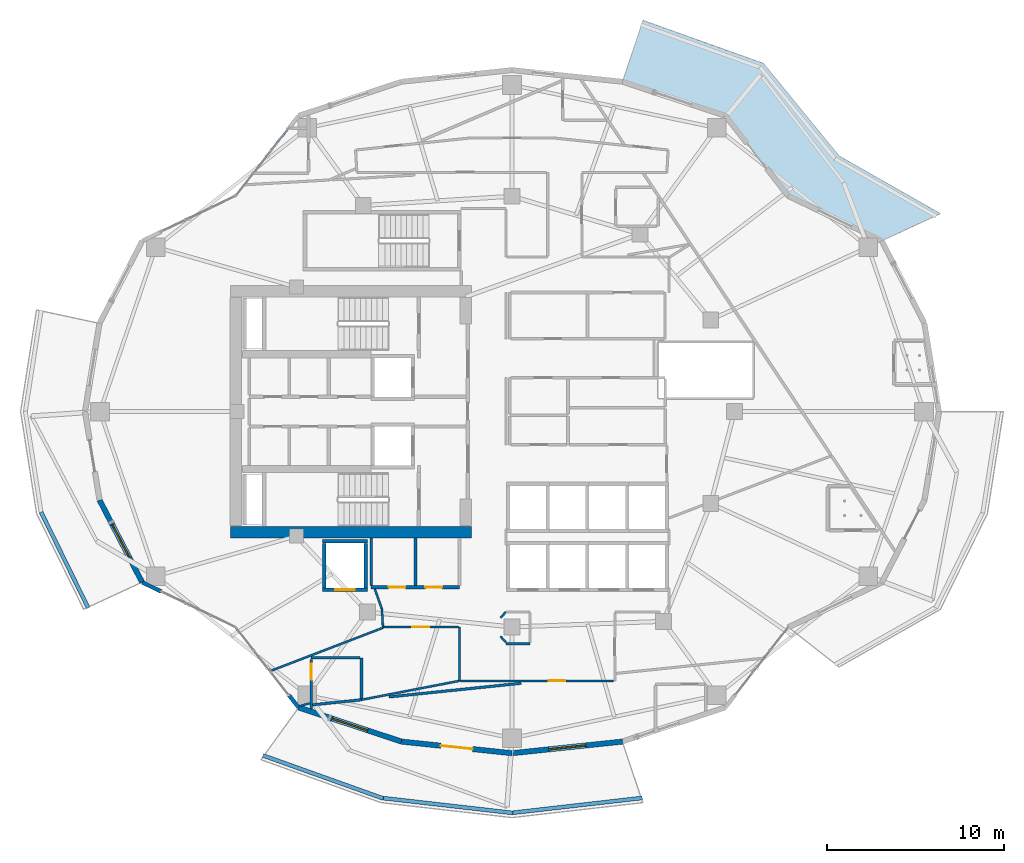
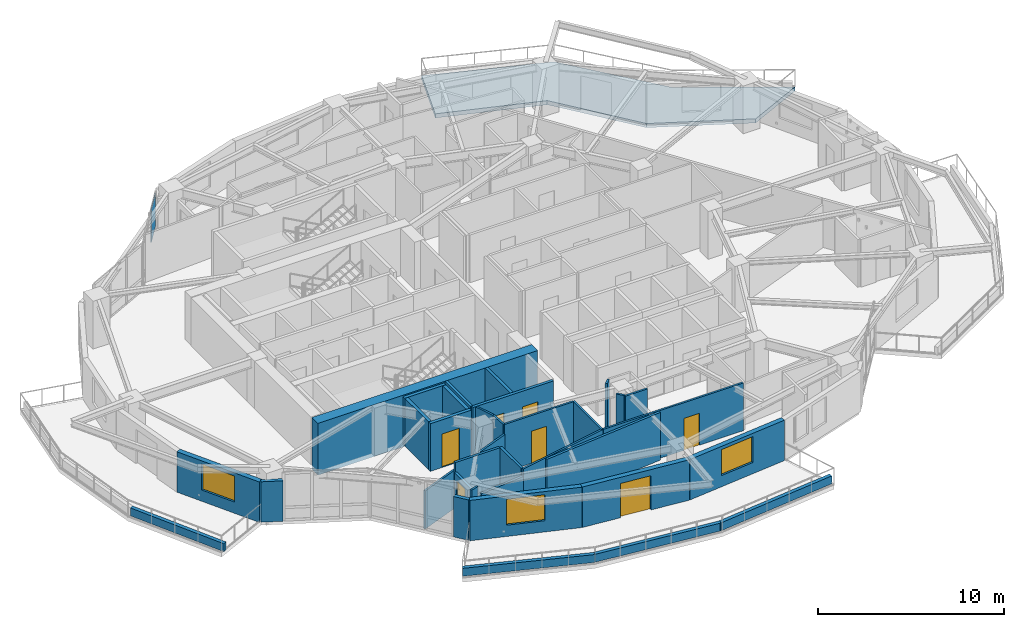
# One storey, part 7 of 18: 34 walls, 7 doors, 3 windows, 1 plate, 1 slab, 10 openings, 1 element without a shape of its own.
"""IFC4 building model written with IfcOpenShell, lengths in metres."""

import ifcopenshell
import ifcopenshell.guid

model = None  # the IFC model being written
_history = None  # IfcOwnerHistory: only IFC2X3 demands one
_inside = {}  # id of a spatial element -> (the spatial element, [elements in it])
_under = {}  # id of a project, library or spatial element -> (it, [spatial elements below it])
_declared = {}  # id of a project -> (the project, [libraries it declares])
_typed = {}  # id of a type object -> (the type object, [elements of that type])
_made_of = {}  # id of a material, layer set ... -> (it, [elements and type objects made of it])


def new_model(schema):
    """Start an empty IFC model of exactly this schema.

    Asked for "IFC4X3", IfcOpenShell would pick the latest addendum, in which some entities
    have other attributes; the version numbers below select the first issue.
    IFC2X3 requires an IfcOwnerHistory on every rooted entity: one is made here for all.
    """
    global model, _history
    if schema == "IFC4X3":
        model = ifcopenshell.file(schema_version=(4, 3, 0, 0))
    else:
        model = ifcopenshell.file(schema=schema)
    _inside.clear()
    _under.clear()
    _declared.clear()
    _typed.clear()
    _made_of.clear()
    _history = None
    if model.schema == "IFC2X3":
        org = make("IfcOrganization", Name="unknown")
        user = make(
            "IfcPersonAndOrganization",
            ThePerson=make("IfcPerson", FamilyName="unknown"),
            TheOrganization=org,
        )
        app = make(
            "IfcApplication",
            ApplicationDeveloper=org,
            Version="unknown",
            ApplicationFullName="unknown",
            ApplicationIdentifier="unknown",
        )
        _history = make(
            "IfcOwnerHistory",
            OwningUser=user,
            OwningApplication=app,
            ChangeAction="ADDED",
            CreationDate=0,
        )
    return model


def make(cls, **values):
    """One entity of the class cls with the attributes given. An attribute that is None is left unset."""
    return model.create_entity(
        cls, **{name: value for name, value in values.items() if value is not None}
    )


def rooted(cls, **values):
    """An entity with a GlobalId (a new one), such as an element, a storey or a relation."""
    return make(cls, GlobalId=ifcopenshell.guid.new(), OwnerHistory=_history, **values)


def si_unit(unit_type, name, prefix=None):
    """IfcSIUnit, for example si_unit("LENGTHUNIT", "METRE", prefix="MILLI")."""
    return make("IfcSIUnit", UnitType=unit_type, Prefix=prefix, Name=name)


def assignment(units):
    """IfcUnitAssignment: the units of a project."""
    return None if units is None else make("IfcUnitAssignment", Units=units)


def point(xyz):
    """IfcCartesianPoint."""
    return None if xyz is None else make("IfcCartesianPoint", Coordinates=xyz)


def direction(xyz):
    """IfcDirection."""
    return None if xyz is None else make("IfcDirection", DirectionRatios=xyz)


def frame(location, z_axis=None, x_axis=None):
    """IfcAxis2Placement3D, a coordinate frame: its origin and axes. An axis left out is left unset."""
    return make(
        "IfcAxis2Placement3D",
        Location=point(location),
        Axis=direction(z_axis),
        RefDirection=direction(x_axis),
    )


def frame_2d(location, x_axis=None):
    """IfcAxis2Placement2D, a coordinate frame in the plane: its origin and x axis."""
    return make(
        "IfcAxis2Placement2D", Location=point(location), RefDirection=direction(x_axis)
    )


def origin():
    """The frame at (0, 0, 0) with its axes left unset."""
    return frame((0.0, 0.0, 0.0))


def origin_2d():
    """The frame at (0, 0) in the plane with its x axis left unset."""
    return frame_2d((0.0, 0.0))


def place(relative_to, where):
    """IfcLocalPlacement: puts the frame where relative to a parent placement (None: the world)."""
    return make(
        "IfcLocalPlacement", PlacementRelTo=relative_to, RelativePlacement=where
    )


def context(
    kind, dimensions, precision=None, world=None, true_north=None, identifier=None
):
    """IfcGeometricRepresentationContext, for example the 3D "Model" context."""
    return make(
        "IfcGeometricRepresentationContext",
        ContextIdentifier=identifier,
        ContextType=kind,
        CoordinateSpaceDimension=dimensions,
        Precision=precision,
        WorldCoordinateSystem=world,
        TrueNorth=true_north,
    )


def subcontext(parent, identifier, kind, view, scale=None):
    """IfcGeometricRepresentationSubContext, for example "Body" below "Model"."""
    return make(
        "IfcGeometricRepresentationSubContext",
        ContextIdentifier=identifier,
        ContextType=kind,
        ParentContext=parent,
        TargetScale=scale,
        TargetView=view,
    )


def project(units=None, contexts=None):
    """IfcProject with its units and contexts."""
    return rooted(
        "IfcProject",
        Name="project",
        RepresentationContexts=contexts,
        UnitsInContext=assignment(units),
    )


def spatial(cls, under=None, at=None, **own):
    """A site, building, storey or space (cls), placed at a placement, below another one or the project."""
    s = rooted(cls, ObjectPlacement=at, **own)
    if under is not None:
        _under.setdefault(under.id(), (under, []))[1].append(s)
    return s


def polyline(points):
    """IfcPolyline through the points."""
    return make("IfcPolyline", Points=[point(p) for p in points])


def profile(cls, at=None, kind="AREA", **sizes):
    """A parametric profile (cls). Its sizes go by their IFC names, for example OverallWidth=200.0."""
    return make(cls, ProfileType=kind, Position=at, **sizes)


def rectangle(**sizes):
    """IfcRectangleProfileDef."""
    return profile("IfcRectangleProfileDef", **sizes)


def outline(outer, holes=None, kind="AREA"):
    """IfcArbitraryClosedProfileDef: a profile drawn as a closed curve; with holes, ...WithVoids."""
    if holes is None:
        return make("IfcArbitraryClosedProfileDef", ProfileType=kind, OuterCurve=outer)
    return make(
        "IfcArbitraryProfileDefWithVoids",
        ProfileType=kind,
        OuterCurve=outer,
        InnerCurves=holes,
    )


def extrude(swept, where, along, depth):
    """IfcExtrudedAreaSolid: the profile swept, set in the frame where, extruded along a direction by depth."""
    return make(
        "IfcExtrudedAreaSolid",
        SweptArea=swept,
        Position=where,
        ExtrudedDirection=direction(along),
        Depth=depth,
    )


def shape(context_of_items, identifier, shape_type, items):
    """IfcShapeRepresentation: the items that make up one representation, for example the "Body"."""
    return make(
        "IfcShapeRepresentation",
        ContextOfItems=context_of_items,
        RepresentationIdentifier=identifier,
        RepresentationType=shape_type,
        Items=items,
    )


def material(Name=None, Category=None):
    """IfcMaterial."""
    return make("IfcMaterial", Name=Name, Category=Category)


def layer(
    of_material, thickness, ventilated=None, Name=None, Category=None, Priority=None
):
    """IfcMaterialLayer: one layer of a wall or slab, of a material (None: an air gap)."""
    return make(
        "IfcMaterialLayer",
        Material=of_material,
        LayerThickness=thickness,
        IsVentilated=ventilated,
        Name=Name,
        Category=Category,
        Priority=Priority,
    )


def layer_set(layers, Name=None):
    """IfcMaterialLayerSet."""
    return make("IfcMaterialLayerSet", MaterialLayers=layers, LayerSetName=Name)


def made_of(thing, what):
    """Note that an element or type object is made of a material, layer set ...; save() writes the relation."""
    if what is not None:
        _made_of.setdefault(what.id(), (what, []))[1].append(thing)
    return thing


def type_object(cls, material=None, **own):
    """A type object (cls), such as IfcWallType, which elements share."""
    return made_of(rooted(cls, **own), material)


def element(
    cls,
    number,
    at=None,
    inside=None,
    cuts=None,
    type_object=None,
    material=None,
    context=None,
    identifier="Body",
    shape_type=None,
    held_by="IfcProductDefinitionShape",
    body=None,
    shapes=None,
    **own,
):
    """One element of the class cls, such as IfcWall. Its Tag is "e" and its number.

    at: its placement. inside: the storey or other place that contains it. cuts: it is an
    opening in that element (IfcRelVoidsElement). A single representation is given by context,
    identifier, shape_type and body (its items); several are given by shapes. held_by: the class
    of the entity that holds the representations. save() writes the other relations.
    """
    e = rooted(cls, Tag="e%d" % number, ObjectPlacement=at, **own)
    if body is not None:
        shapes = [shape(context, identifier, shape_type, body)]
    if shapes is not None:
        e.Representation = make(held_by, Representations=shapes)
    if inside is not None:
        _inside.setdefault(inside.id(), (inside, []))[1].append(e)
    if cuts is not None:
        rooted(
            "IfcRelVoidsElement", RelatingBuildingElement=cuts, RelatedOpeningElement=e
        )
    if type_object is not None:
        _typed.setdefault(type_object.id(), (type_object, []))[1].append(e)
    return made_of(e, material)


def fill(opening, filler):
    """IfcRelFillsElement: the door or window that sits in an opening."""
    return rooted(
        "IfcRelFillsElement",
        RelatingOpeningElement=opening,
        RelatedBuildingElement=filler,
    )


def aggregate(whole, parts):
    """IfcRelAggregates: a whole, such as a stair, and the parts it consists of."""
    return rooted("IfcRelAggregates", RelatingObject=whole, RelatedObjects=parts)


def save(model, path):
    """Write the relations noted so far, then the file.

    IfcRelAggregates (storeys below a building ...), IfcRelContainedInSpatialStructure (elements
    in a storey), IfcRelDefinesByType, IfcRelAssociatesMaterial and IfcRelDeclares: one each for
    every whole, place, type object, material and project.
    """
    for whole, parts in _under.values():
        aggregate(whole, parts)
    for where, things in _inside.values():
        rooted(
            "IfcRelContainedInSpatialStructure",
            RelatedElements=things,
            RelatingStructure=where,
        )
    for kind, things in _typed.values():
        rooted("IfcRelDefinesByType", RelatedObjects=things, RelatingType=kind)
    for what, things in _made_of.values():
        rooted("IfcRelAssociatesMaterial", RelatedObjects=things, RelatingMaterial=what)
    for by, libraries in _declared.values():
        rooted("IfcRelDeclares", RelatingContext=by, RelatedDefinitions=libraries)
    model.write(path)


model = new_model("IFC4")

# Units and contexts
model_context = context("Model", 3, precision=1e-05, world=origin(), true_north=direction((0.0, 1.0)))
body_context = subcontext(model_context, "Body", "Model", "MODEL_VIEW")
ifc_project = project(units=[si_unit("LENGTHUNIT", "METRE"), si_unit("AREAUNIT", "SQUARE_METRE"), si_unit("VOLUMEUNIT", "CUBIC_METRE"), si_unit("PLANEANGLEUNIT", "RADIAN"), si_unit("MASSUNIT", "GRAM", prefix="KILO")], contexts=[model_context])

# Site, building, storey
site_placement = place(None, origin())
site = spatial("IfcSite", under=ifc_project, at=site_placement, CompositionType="ELEMENT")
building_placement = place(site_placement, origin())
building = spatial("IfcBuilding", under=site, at=building_placement, Name="Kolvaren Gate Tower and Convention Centre", CompositionType="ELEMENT")
storey_placement = place(building_placement, frame((0.0, 0.0, 108.699951171875)))
storey = spatial("IfcBuildingStorey", under=building, at=storey_placement, Name="L26", CompositionType="ELEMENT", Elevation=108.699951171875)

# Curtain wall, plate
ifc_material_1 = material(Name="Anodized Architectural Aluminium Alloy 6063-T6", Category="aluminium")
ifc_layer_1 = layer(ifc_material_1, 0.159912109375)
ifc_layer_set_1 = layer_set([ifc_layer_1], Name="Anodized Architectural Aluminium Alloy 6063-T6")
curtain_wall_type = type_object("IfcCurtainWallType", Name="CW-HTL-UNIT", PredefinedType="NOTDEFINED", material=ifc_layer_set_1)
curtain_wall_placement = place(storey_placement, origin())
curtain_wall = element("IfcCurtainWall", 1, at=curtain_wall_placement, inside=storey, type_object=curtain_wall_type, Name="Tower L26 Unitised Curtain Wall CW-HTL-UNIT Bay 08", PredefinedType="NOTDEFINED")
ifc_material_2 = material(Name="Low-E Triple Insulated Glazing Unit 44 mm", Category="glass")
ifc_layer_2 = layer(ifc_material_2, 0.0439453125)
ifc_layer_set_2 = layer_set([ifc_layer_2], Name="Low-E Triple Insulated Glazing Unit 44 mm")
plate_type = type_object("IfcPlateType", Name="CW-PL-IGU-44", PredefinedType="CURTAIN_PANEL", material=ifc_layer_set_2)
plate_placement = place(storey_placement, frame((16.979736328125, 42.414306640625, 0.882568359375), z_axis=(0.0, 0.0, 1.0), x_axis=(0.616441330983, 0.787400841666, 0.0)))
plate = element("IfcPlate", 2, at=plate_placement, type_object=plate_type, Name="CW-03 panel 3.2", PredefinedType="CURTAIN_PANEL", context=body_context, shape_type="SweptSolid", body=[
    extrude(rectangle(XDim=1.5302734375, YDim=0.0439453125, at=origin_2d()), origin(), (0.0, 0.0, 1.0), 2.1826171875),
])
aggregate(curtain_wall, [plate])

# Slab
ifc_material_3 = material(Name="Concrete C50/60", Category="concrete")
ifc_layer_3 = layer(ifc_material_3, 0.27001953125)
ifc_layer_set_3 = layer_set([ifc_layer_3], Name="Concrete C50/60")
slab_type = type_object("IfcSlabType", Name="STR-SL-BALC-270", PredefinedType="FLOOR", material=ifc_layer_set_3)
slab_placement = place(storey_placement, frame((0.0, 0.0, -0.27001953125)))
element("IfcSlab", 3, at=slab_placement, inside=storey, type_object=slab_type, Name="Tower L26 Planted Balcony Terrace Slab 1 (North)", PredefinedType="FLOOR", context=body_context, shape_type="SweptSolid", body=[
    extrude(outline(polyline([(51.072021484375, 36.675048828125), (45.768798828125, 39.222900390625), (42.21875, 43.757568359375), (36.38525390625, 45.690673828125), (37.547607421875, 49.1611328125), (44.360595703125, 46.725341796875), (48.652587890625, 41.476318359375), (54.394775390625, 38.209716796875), (51.072021484375, 36.675048828125)])), origin(), (0.0, 0.0, 1.0), 0.27001953125),
])

# Wall, openings, doors
ifc_material_4 = material(Name="Autoclaved Aerated Masonry Blockwork Class 4 (4.0 MPa)", Category="masonry")
ifc_layer_4 = layer(ifc_material_4, 0.179931640625)
ifc_layer_set_4 = layer_set([ifc_layer_4], Name="Autoclaved Aerated Masonry Blockwork Class 4 (4.0 MPa)")
wall_type_1 = type_object("IfcWallType", Name="ARCH-WL-COMP-180", PredefinedType="SOLIDWALL", material=ifc_layer_set_4)
wall_1_placement = place(storey_placement, frame((22.14990234375, 17.050048828125, 0.0), z_axis=(0.0, 0.0, 1.0), x_axis=(1.0, 0.0, 0.0)))
wall_1 = element("IfcWall", 4, at=wall_1_placement, inside=storey, type_object=wall_type_1, Name="Interior Partition WL-L26-INT-011", PredefinedType="SOLIDWALL", context=body_context, shape_type="SweptSolid", body=[
    extrude(rectangle(XDim=5.0, YDim=0.179931640625, at=frame_2d((2.5, 0.0))), origin(), (0.0, 0.0, 1.0), 3.130126953125),
])
opening_1_placement = place(wall_1_placement, frame((0.97998046875, 0.0, 0.0)))
opening_1 = element("IfcOpeningElement", 5, at=opening_1_placement, cuts=wall_1, Name="Opening DR-01", PredefinedType="OPENING", context=body_context, shape_type="SweptSolid", body=[
    extrude(rectangle(XDim=0.949951171875, YDim=2.10009765625, at=frame_2d((0.47509765625, 1.050048828125))), frame((0.0, 0.099853515625, 0.0), z_axis=(0.0, -1.0, 0.0), x_axis=(1.0, 0.0, 0.0)), (0.0, 0.0, 1.0), 0.199951171875),
])
opening_2_placement = place(wall_1_placement, frame((3.070068359375, 0.0, 0.0)))
opening_2 = element("IfcOpeningElement", 6, at=opening_2_placement, cuts=wall_1, Name="Opening DR-01", PredefinedType="OPENING", context=body_context, shape_type="SweptSolid", body=[
    extrude(rectangle(XDim=0.949951171875, YDim=2.10009765625, at=frame_2d((0.47509765625, 1.050048828125))), frame((0.0, 0.099853515625, 0.0), z_axis=(0.0, -1.0, 0.0), x_axis=(1.0, 0.0, 0.0)), (0.0, 0.0, 1.0), 0.199951171875),
])
ifc_material_5 = material(Name="Painted Architectural Steelwork ASTM A500 Grade C 345 MPa", Category="steel")
door_type_1 = type_object("IfcDoorType", Name="ARCH-DR-RISER-950", OperationType="SINGLE_SWING_RIGHT", PredefinedType="DOOR", material=ifc_material_5)
door_1_placement = place(opening_1_placement, origin())
door_1 = element("IfcDoor", 7, at=door_1_placement, inside=storey, type_object=door_type_1, Name="West Valet Store Door", OperationType="SINGLE_SWING_LEFT", OverallHeight=2.10009765625, OverallWidth=0.949951171875, PredefinedType="DOOR", context=body_context, shape_type="SweptSolid", body=[
    extrude(rectangle(XDim=0.949951171875, YDim=2.10009765625, at=frame_2d((0.47509765625, 1.050048828125))), frame((0.0, 0.02490234375, 0.0), z_axis=(0.0, -1.0, 0.0), x_axis=(1.0, 0.0, 0.0)), (0.0, 0.0, 1.0), 0.050048828125),
])
fill(opening_1, door_1)
door_2_placement = place(opening_2_placement, origin())
door_2 = element("IfcDoor", 8, at=door_2_placement, inside=storey, type_object=door_type_1, Name="Metering Switch Room Door", OperationType="SINGLE_SWING_RIGHT", OverallHeight=2.10009765625, OverallWidth=0.949951171875, PredefinedType="DOOR", context=body_context, shape_type="SweptSolid", body=[
    extrude(rectangle(XDim=0.949951171875, YDim=2.10009765625, at=frame_2d((0.47509765625, 1.050048828125))), frame((0.0, 0.02490234375, 0.0), z_axis=(0.0, -1.0, 0.0), x_axis=(1.0, 0.0, 0.0)), (0.0, 0.0, 1.0), 0.050048828125),
])
fill(opening_2, door_2)

# Walls
wall_2_placement = place(storey_placement, frame((24.64990234375, 17.14208984375, 0.0), z_axis=(0.0, 0.0, 1.0), x_axis=(0.0, 1.0, 0.0)))
element("IfcWall", 9, at=wall_2_placement, inside=storey, type_object=wall_type_1, Name="Interior Partition WL-L26-INT-013", PredefinedType="SOLIDWALL", context=body_context, shape_type="SweptSolid", body=[
    extrude(rectangle(XDim=2.705810546875, YDim=0.179931640625, at=frame_2d((1.35302734375, 0.0))), origin(), (0.0, 0.0, 1.0), 3.130126953125),
])
ifc_material_6 = material(Name="Fire-Rated Acoustic Gypsum Stud Partition", Category="gypsum")
ifc_layer_5 = layer(ifc_material_6, 0.1201171875)
ifc_layer_set_5 = layer_set([ifc_layer_5], Name="Fire-Rated Acoustic Gypsum Stud Partition")
wall_type_2 = type_object("IfcWallType", Name="ARCH-WL-PART-120", PredefinedType="PARTITIONING", material=ifc_layer_set_5)
wall_3_placement = place(storey_placement, frame((27.14990234375, 11.75, 0.0), z_axis=(0.0, 0.0, 1.0), x_axis=(0.0, 1.0, 0.0)))
element("IfcWall", 10, at=wall_3_placement, inside=storey, type_object=wall_type_2, Name="Interior Partition WL-L26-INT-014", PredefinedType="PARTITIONING", context=body_context, shape_type="SweptSolid", body=[
    extrude(rectangle(XDim=3.050048828125, YDim=0.1201171875, at=frame_2d((1.52490234375, 0.0))), origin(), (0.0, 0.0, 1.0), 3.130126953125),
])

# Wall, opening, door
wall_4_placement = place(storey_placement, frame((27.2119140625, 11.75, 0.0), z_axis=(0.0, 0.0, 1.0), x_axis=(1.0, 0.0, 0.0)))
wall_4 = element("IfcWall", 11, at=wall_4_placement, inside=storey, type_object=wall_type_2, Name="Interior Partition WL-L26-INT-033", PredefinedType="PARTITIONING", context=body_context, shape_type="SweptSolid", body=[
    extrude(rectangle(XDim=8.676025390625, YDim=0.1201171875, at=frame_2d((4.337890625, 0.0))), origin(), (0.0, 0.0, 1.0), 3.130126953125),
])
opening_3_placement = place(wall_4_placement, frame((4.993408203125, 0.0, 0.0)))
opening_3 = element("IfcOpeningElement", 12, at=opening_3_placement, cuts=wall_4, Name="Opening DR-01", PredefinedType="OPENING", context=body_context, shape_type="SweptSolid", body=[
    extrude(rectangle(XDim=0.949951171875, YDim=2.10009765625, at=frame_2d((0.47509765625, 1.050048828125))), frame((0.0, 0.070068359375, 0.0), z_axis=(0.0, -1.0, 0.0), x_axis=(1.0, 0.0, 0.0)), (0.0, 0.0, 1.0), 0.14013671875),
])
door_3_placement = place(opening_3_placement, origin())
door_3 = element("IfcDoor", 13, at=door_3_placement, inside=storey, type_object=door_type_1, Name="Hotel Guest Room (HTL-L26-02) Door", OperationType="SINGLE_SWING_RIGHT", OverallHeight=2.10009765625, OverallWidth=0.949951171875, PredefinedType="DOOR", context=body_context, shape_type="SweptSolid", body=[
    extrude(rectangle(XDim=0.949951171875, YDim=2.10009765625, at=frame_2d((0.47509765625, 1.050048828125))), frame((0.0, 0.02490234375, 0.0), z_axis=(0.0, -1.0, 0.0), x_axis=(1.0, 0.0, 0.0)), (0.0, 0.0, 1.0), 0.050048828125),
])
fill(opening_3, door_3)

wall_5_placement = place(storey_placement, frame((22.81396484375, 14.800048828125, 0.0), z_axis=(0.0, 0.0, 1.0), x_axis=(1.0, 0.0, 0.0)))
wall_5 = element("IfcWall", 14, at=wall_5_placement, inside=storey, type_object=wall_type_2, Name="Interior Partition WL-L26-INT-034", PredefinedType="PARTITIONING", context=body_context, shape_type="SweptSolid", body=[
    extrude(rectangle(XDim=4.27392578125, YDim=0.1201171875, at=frame_2d((2.136962890625, 0.0))), origin(), (0.0, 0.0, 1.0), 3.130126953125),
])
opening_4_placement = place(wall_5_placement, frame((1.662109375, 0.0, 0.0)))
opening_4 = element("IfcOpeningElement", 15, at=opening_4_placement, cuts=wall_5, Name="Opening DR-01", PredefinedType="OPENING", context=body_context, shape_type="SweptSolid", body=[
    extrude(rectangle(XDim=0.949951171875, YDim=2.10009765625, at=frame_2d((0.47509765625, 1.050048828125))), frame((0.0, 0.070068359375, 0.0), z_axis=(0.0, -1.0, 0.0), x_axis=(1.0, 0.0, 0.0)), (0.0, 0.0, 1.0), 0.14013671875),
])
door_4_placement = place(opening_4_placement, origin())
door_4 = element("IfcDoor", 16, at=door_4_placement, inside=storey, type_object=door_type_1, Name="Hotel Guest Room (HTL-L26-01) Door", OperationType="SINGLE_SWING_LEFT", OverallHeight=2.10009765625, OverallWidth=0.949951171875, PredefinedType="DOOR", context=body_context, shape_type="SweptSolid", body=[
    extrude(rectangle(XDim=0.949951171875, YDim=2.10009765625, at=frame_2d((0.47509765625, 1.050048828125))), frame((0.0, 0.02490234375, 0.0), z_axis=(0.0, -1.0, 0.0), x_axis=(1.0, 0.0, 0.0)), (0.0, 0.0, 1.0), 0.050048828125),
])
fill(opening_4, door_4)

# Walls
wall_6_placement = place(storey_placement, frame((22.756103515625, 15.81103515625, 0.0), z_axis=(0.0, 0.0, 1.0), x_axis=(0.057139047697, -0.998366230012, 0.0)))
element("IfcWall", 17, at=wall_6_placement, inside=storey, type_object=wall_type_2, Name="Interior Partition WL-L26-INT-036", PredefinedType="PARTITIONING", context=body_context, shape_type="SweptSolid", body=[
    extrude(rectangle(XDim=1.0126953125, YDim=0.1201171875, at=frame_2d((0.50634765625, 0.0))), origin(), (0.0, 0.0, 1.0), 3.130126953125),
])
wall_7_placement = place(storey_placement, frame((22.353271484375, 16.9580078125, 0.0), z_axis=(0.0, 0.0, 1.0), x_axis=(0.331370038458, -0.943500873138, 0.0)))
element("IfcWall", 18, at=wall_7_placement, inside=storey, type_object=wall_type_2, Name="Interior Partition WL-L26-INT-037", PredefinedType="PARTITIONING", context=body_context, shape_type="SweptSolid", body=[
    extrude(rectangle(XDim=1.215576171875, YDim=0.1201171875, at=frame_2d((0.60791015625, 0.0))), origin(), (0.0, 0.0, 1.0), 3.130126953125),
])
wall_8_placement = place(storey_placement, frame((29.47607421875, 15.3330078125, 0.0), z_axis=(0.0, 0.0, 1.0), x_axis=(0.692219273951, 0.721687243043, 0.0)))
element("IfcWall", 19, at=wall_8_placement, inside=storey, type_object=wall_type_2, Name="Interior Partition WL-L26-INT-056", PredefinedType="PARTITIONING", context=body_context, shape_type="SweptSolid", body=[
    extrude(rectangle(XDim=0.439208984375, YDim=0.1201171875, at=frame_2d((0.2197265625, 0.0))), origin(), (0.0, 0.0, 1.0), 3.130126953125),
])
wall_9_placement = place(storey_placement, frame((29.47607421875, 14.26708984375, 0.0), z_axis=(0.0, 0.0, 1.0), x_axis=(0.670659392016, -0.741765448037, 0.0)))
element("IfcWall", 20, at=wall_9_placement, inside=storey, type_object=wall_type_2, Name="Interior Partition WL-L26-INT-057", PredefinedType="PARTITIONING", context=body_context, shape_type="SweptSolid", body=[
    extrude(rectangle(XDim=0.453125, YDim=0.1201171875, at=frame_2d((0.2265625, 0.0))), origin(), (0.0, 0.0, 1.0), 3.130126953125),
])
wall_10_placement = place(storey_placement, frame((29.780029296875, 13.85009765625, 0.0), z_axis=(0.0, 0.0, 1.0), x_axis=(1.0, 0.0, 0.0)))
element("IfcWall", 21, at=wall_10_placement, inside=storey, type_object=wall_type_2, Name="Interior Partition WL-L26-INT-058", PredefinedType="PARTITIONING", context=body_context, shape_type="SweptSolid", body=[
    extrude(rectangle(XDim=1.369873046875, YDim=0.1201171875, at=frame_2d((0.68505859375, 0.0))), origin(), (0.0, 0.0, 1.0), 3.130126953125),
])
wall_11_placement = place(storey_placement, frame((16.442138671875, 12.3095703125, 0.0), z_axis=(0.0, 0.0, 1.0), x_axis=(0.933669773826, 0.358135105014, 0.0)))
element("IfcWall", 22, at=wall_11_placement, inside=storey, type_object=wall_type_2, Name="Interior Partition WL-L26-INT-060", PredefinedType="PARTITIONING", context=body_context, shape_type="SweptSolid", body=[
    extrude(rectangle(XDim=6.824462890625, YDim=0.1201171875, at=frame_2d((3.412109375, 0.0))), origin(), (0.0, 0.0, 1.0), 2.505126953125),
])
wall_12_placement = place(storey_placement, frame((21.60009765625, 10.677001953125, 0.0), z_axis=(0.0, 0.0, 1.0), x_axis=(0.981818039841, 0.189824489051, 0.0)))
element("IfcWall", 23, at=wall_12_placement, inside=storey, type_object=wall_type_2, Name="Interior Partition WL-L26-INT-062", PredefinedType="PARTITIONING", context=body_context, shape_type="SweptSolid", body=[
    extrude(rectangle(XDim=5.652587890625, YDim=0.1201171875, at=frame_2d((2.826171875, 0.0))), origin(), (0.0, 0.0, 1.0), 3.130126953125),
])
wall_13_placement = place(storey_placement, frame((18.199462890625, 10.3466796875, 0.0), z_axis=(0.0, 0.0, 1.0), x_axis=(0.963375485417, 0.268156062951, 0.0)))
element("IfcWall", 24, at=wall_13_placement, inside=storey, type_object=wall_type_2, Name="Interior Partition WL-L26-INT-066", PredefinedType="PARTITIONING", context=body_context, shape_type="SweptSolid", body=[
    extrude(rectangle(XDim=0.49169921875, YDim=0.1201171875, at=frame_2d((0.245849609375, 0.0))), origin(), (0.0, 0.0, 1.0), 3.130126953125),
])
ifc_material_7 = material(Name="Bogota Sabana Bush-Hammered Sandstone Cladding", Category="masonry")
ifc_layer_6 = layer(ifc_material_7, 0.219970703125)
ifc_layer_set_6 = layer_set([ifc_layer_6], Name="Bogota Sabana Bush-Hammered Sandstone Cladding")
wall_type_3 = type_object("IfcWallType", Name="ARCH-WL-PIER-220", PredefinedType="SOLIDWALL", material=ifc_layer_set_6)
wall_14_placement = place(storey_placement, frame((9.177978515625, 17.324951171875, 0.0), z_axis=(0.0, 0.0, 1.0), x_axis=(0.901426247285, -0.432932697664, 0.0)))
element("IfcWall", 25, at=wall_14_placement, inside=storey, type_object=wall_type_3, Name="Tower L26 Unitised Curtain Wall CW-HTL-UNIT Bay 14 Left Column Pier Wrap", PredefinedType="SOLIDWALL", context=body_context, shape_type="SweptSolid", body=[
    extrude(rectangle(XDim=1.180908203125, YDim=0.219970703125, at=frame_2d((0.59033203125, 0.0))), origin(), (0.0, 0.0, 1.0), 2.653076171875),
])
wall_15_placement = place(storey_placement, frame((17.4912109375, 10.93212890625, 0.0), z_axis=(0.0, 0.0, 1.0), x_axis=(0.61650363284, -0.787352062736, 0.0)))
element("IfcWall", 26, at=wall_15_placement, inside=storey, type_object=wall_type_3, Name="Tower L26 Unitised Curtain Wall CW-HTL-UNIT Bay 15 Right Column Pier Wrap", PredefinedType="SOLIDWALL", context=body_context, shape_type="SweptSolid", body=[
    extrude(rectangle(XDim=0.8759765625, YDim=0.219970703125, at=frame_2d((0.43798828125, 0.0))), origin(), (0.0, 0.0, 1.0), 2.653076171875),
])
ifc_material_8 = material(Name="Piedmont Cream Honed Limestone Cladding", Category="masonry")
ifc_layer_7 = layer(ifc_material_8, 0.219970703125)
ifc_layer_set_7 = layer_set([ifc_layer_7], Name="Piedmont Cream Honed Limestone Cladding")
wall_type_4 = type_object("IfcWallType", Name="ARCH-WL-PLANTER-220", PredefinedType="PARAPET", material=ifc_layer_set_7)
wall_16_placement = place(storey_placement, frame((3.44873046875, 21.31298828125, 0.0), z_axis=(0.0, 0.0, 1.0), x_axis=(0.441269631716, -0.897374566235, 0.0)))
element("IfcWall", 27, at=wall_16_placement, inside=storey, type_object=wall_type_4, Name="Vertical-Forest Balcony Stone Planter Kerb PK-L26-2.3", PredefinedType="PARAPET", context=body_context, shape_type="SweptSolid", body=[
    extrude(rectangle(XDim=6.05615234375, YDim=0.219970703125, at=frame_2d((3.028076171875, 0.0))), origin(), (0.0, 0.0, 1.0), 0.52001953125),
])
wall_17_placement = place(storey_placement, frame((16.017822265625, 7.523193359375, 0.0), z_axis=(0.0, 0.0, 1.0), x_axis=(0.941632697311, -0.336642040387, 0.0)))
element("IfcWall", 28, at=wall_17_placement, inside=storey, type_object=wall_type_4, Name="Vertical-Forest Balcony Stone Planter Kerb PK-L26-3.1", PredefinedType="PARAPET", context=body_context, shape_type="SweptSolid", body=[
    extrude(rectangle(XDim=7.235595703125, YDim=0.219970703125, at=frame_2d((3.61767578125, 0.0))), origin(), (0.0, 0.0, 1.0), 0.52001953125),
])
for number, where, z_axis, x_axis, name in (
    (29, (22.747802734375, 5.114990234375, 0.0), (0.0, 0.0, 1.0), (0.993527615836, -0.11359082961, 0.0), "Vertical-Forest Balcony Stone Planter Kerb PK-L26-3.2"),
    (30, (30.07958984375, 4.266357421875, 0.0), (0.0, 0.0, 1.0), (0.993527615836, 0.11359082961, 0.0), "Vertical-Forest Balcony Stone Planter Kerb PK-L26-3.3"),
):
    element("IfcWall", number, at=place(storey_placement, frame(where, z_axis=z_axis, x_axis=x_axis)), inside=storey, type_object=wall_type_4, Name=name, PredefinedType="PARAPET", context=body_context, shape_type="SweptSolid", body=[
        extrude(rectangle(XDim=7.470947265625, YDim=0.219970703125, at=frame_2d((3.7353515625, 0.0))), origin(), (0.0, 0.0, 1.0), 0.52001953125),
    ])
ifc_layer_8 = layer(ifc_material_4, 0.199951171875)
ifc_layer_set_8 = layer_set([ifc_layer_8], Name="Autoclaved Aerated Masonry Blockwork Class 4 (4.0 MPa)")
wall_type_5 = type_object("IfcWallType", Name="ARCH-WL-SHAFT-200", PredefinedType="SOLIDWALL", material=ifc_layer_set_8)
wall_18_placement = place(storey_placement, frame((19.39990234375, 19.64990234375, 0.0), z_axis=(0.0, 0.0, 1.0), x_axis=(1.0, 0.0, 0.0)))
element("IfcWall", 31, at=wall_18_placement, inside=storey, type_object=wall_type_5, Name="Elevator SV-01 L26 Fire Shaft Wall N", PredefinedType="SOLIDWALL", context=body_context, shape_type="SweptSolid", body=[
    extrude(rectangle(XDim=2.550048828125, YDim=0.199951171875, at=frame_2d((1.27490234375, 0.0))), origin(), (0.0, 0.0, 1.0), 3.130126953125),
])

# Wall, opening, door
wall_19_placement = place(storey_placement, frame((19.39990234375, 16.89990234375, 0.0), z_axis=(0.0, 0.0, 1.0), x_axis=(1.0, 0.0, 0.0)))
wall_19 = element("IfcWall", 32, at=wall_19_placement, inside=storey, type_object=wall_type_5, Name="Elevator SV-01 L26 Fire Shaft Wall S", PredefinedType="SOLIDWALL", context=body_context, shape_type="SweptSolid", body=[
    extrude(rectangle(XDim=2.550048828125, YDim=0.199951171875, at=frame_2d((1.27490234375, 0.0))), origin(), (0.0, 0.0, 1.0), 3.130126953125),
])
opening_5_placement = place(wall_19_placement, frame((0.72509765625, 0.0, 0.0)))
opening_5 = element("IfcOpeningElement", 33, at=opening_5_placement, cuts=wall_19, Name="Opening LD", PredefinedType="OPENING", context=body_context, shape_type="SweptSolid", body=[
    extrude(rectangle(XDim=1.10009765625, YDim=2.199951171875, at=frame_2d((0.550048828125, 1.10009765625))), frame((0.0, 0.10986328125, 0.0), z_axis=(0.0, -1.0, 0.0), x_axis=(1.0, 0.0, 0.0)), (0.0, 0.0, 1.0), 0.219970703125),
])
ifc_material_9 = material(Name="Brushed Stainless Steel Grade 316L", Category="steel")
door_type_2 = type_object("IfcDoorType", Name="ARCH-DR-LIFT-1100", OperationType="SLIDING_TO_LEFT", PredefinedType="DOOR", material=ifc_material_9)
door_5_placement = place(opening_5_placement, origin())
door_5 = element("IfcDoor", 34, at=door_5_placement, inside=storey, type_object=door_type_2, Name="Elevator SV-01 L26 Sliding Landing Door", OperationType="SLIDING_TO_LEFT", OverallHeight=2.199951171875, OverallWidth=1.10009765625, PredefinedType="DOOR", context=body_context, shape_type="SweptSolid", body=[
    extrude(rectangle(XDim=1.10009765625, YDim=2.199951171875, at=frame_2d((0.550048828125, 1.10009765625))), frame((0.0, 0.02490234375, 0.0), z_axis=(0.0, -1.0, 0.0), x_axis=(1.0, 0.0, 0.0)), (0.0, 0.0, 1.0), 0.050048828125),
])
fill(opening_5, door_5)

# Walls
for number, where, z_axis, x_axis, name in (
    (35, (19.5, 17.010009765625, 0.0), (0.0, 0.0, 1.0), (0.0, 1.0, 0.0), "Elevator SV-01 L26 Fire Shaft Wall W"),
    (36, (21.85009765625, 17.010009765625, 0.0), (0.0, 0.0, 1.0), (0.0, 1.0, 0.0), "Elevator SV-01 L26 Fire Shaft Wall E"),
):
    element("IfcWall", number, at=place(storey_placement, frame(where, z_axis=z_axis, x_axis=x_axis)), inside=storey, type_object=wall_type_5, Name=name, PredefinedType="SOLIDWALL", context=body_context, shape_type="SweptSolid", body=[
        extrude(rectangle(XDim=2.530029296875, YDim=0.199951171875, at=frame_2d((1.26513671875, 0.0))), origin(), (0.0, 0.0, 1.0), 3.130126953125),
    ])

# Wall, opening, window
ifc_layer_9 = layer(ifc_material_8, 0.300048828125)
ifc_layer_set_9 = layer_set([ifc_layer_9], Name="Piedmont Cream Honed Limestone Cladding")
wall_type_6 = type_object("IfcWallType", Name="ARCH-WL-STONE-300", PredefinedType="SOLIDWALL", material=ifc_layer_set_9)
wall_20_placement = place(storey_placement, frame((6.76171875, 21.991943359375, 0.0), z_axis=(0.0, 0.0, 1.0), x_axis=(0.459767899643, -0.888039119892, 0.0)))
wall_20 = element("IfcWall", 37, at=wall_20_placement, inside=storey, type_object=wall_type_6, Name="Tower L26 Honed Stone Spandrel Wall EW-13", PredefinedType="SOLIDWALL", context=body_context, shape_type="SweptSolid", body=[
    extrude(rectangle(XDim=5.25537109375, YDim=0.300048828125, at=frame_2d((2.627685546875, 0.0))), origin(), (0.0, 0.0, 1.0), 2.653076171875),
])
opening_6_placement = place(wall_20_placement, frame((1.577880859375, 0.0, 0.739990234375)))
opening_6 = element("IfcOpeningElement", 38, at=opening_6_placement, cuts=wall_20, Name="Opening W-02", PredefinedType="OPENING", context=body_context, shape_type="SweptSolid", body=[
    extrude(rectangle(XDim=2.10009765625, YDim=1.699951171875, at=frame_2d((1.050048828125, 0.85009765625))), frame((0.0, 0.159912109375, 0.0), z_axis=(0.0, -1.0, 0.0), x_axis=(1.0, 0.0, 0.0)), (0.0, 0.0, 1.0), 0.320068359375),
])
window_type = type_object("IfcWindowType", Name="ARCH-WN-HTL-2100", PartitioningType="SINGLE_PANEL", PredefinedType="WINDOW", material=ifc_material_2)
window_1_placement = place(opening_6_placement, origin())
window_1 = element("IfcWindow", 39, at=window_1_placement, inside=storey, type_object=window_type, Name="Tower L26 Punched Stone Facade Window W-13", OverallHeight=1.699951171875, OverallWidth=2.10009765625, PartitioningType="SINGLE_PANEL", PredefinedType="WINDOW", context=body_context, shape_type="SweptSolid", body=[
    extrude(rectangle(XDim=2.10009765625, YDim=1.699951171875, at=frame_2d((1.050048828125, 0.85009765625))), frame((0.0, 0.030029296875, 0.0), z_axis=(0.0, -1.0, 0.0), x_axis=(1.0, 0.0, 0.0)), (0.0, 0.0, 1.0), 0.06005859375),
])
fill(opening_6, window_1)

wall_21_placement = place(storey_placement, frame((18.03125, 10.242431640625, 0.0), z_axis=(0.0, 0.0, 1.0), x_axis=(0.949238009374, -0.314558741032, 0.0)))
wall_21 = element("IfcWall", 40, at=wall_21_placement, inside=storey, type_object=wall_type_6, Name="Tower L26 Honed Stone Spandrel Wall EW-16", PredefinedType="SOLIDWALL", context=body_context, shape_type="SweptSolid", body=[
    extrude(rectangle(XDim=6.1455078125, YDim=0.300048828125, at=frame_2d((3.07275390625, 0.0))), origin(), (0.0, 0.0, 1.0), 2.653076171875),
])
opening_7_placement = place(wall_21_placement, frame((2.02294921875, 0.0, 0.739990234375)))
opening_7 = element("IfcOpeningElement", 41, at=opening_7_placement, cuts=wall_21, Name="Opening W-02", PredefinedType="OPENING", context=body_context, shape_type="SweptSolid", body=[
    extrude(rectangle(XDim=2.10009765625, YDim=1.699951171875, at=frame_2d((1.050048828125, 0.85009765625))), frame((0.0, 0.159912109375, 0.0), z_axis=(0.0, -1.0, 0.0), x_axis=(1.0, 0.0, 0.0)), (0.0, 0.0, 1.0), 0.320068359375),
])
window_2_placement = place(opening_7_placement, origin())
window_2 = element("IfcWindow", 42, at=window_2_placement, inside=storey, type_object=window_type, Name="Tower L26 Punched Stone Facade Window W-16", OverallHeight=1.699951171875, OverallWidth=2.10009765625, PartitioningType="SINGLE_PANEL", PredefinedType="WINDOW", context=body_context, shape_type="SweptSolid", body=[
    extrude(rectangle(XDim=2.10009765625, YDim=1.699951171875, at=frame_2d((1.050048828125, 0.85009765625))), frame((0.0, 0.030029296875, 0.0), z_axis=(0.0, -1.0, 0.0), x_axis=(1.0, 0.0, 0.0)), (0.0, 0.0, 1.0), 0.06005859375),
])
fill(opening_7, window_2)

# Wall, opening, door
wall_22_placement = place(storey_placement, frame((23.86474609375, 8.309326171875, 0.0), z_axis=(0.0, 0.0, 1.0), x_axis=(0.994498012394, -0.104755445421, 0.0)))
wall_22 = element("IfcWall", 43, at=wall_22_placement, inside=storey, type_object=wall_type_6, Name="Tower L26 Honed Stone Spandrel Wall EW-17", PredefinedType="SOLIDWALL", context=body_context, shape_type="SweptSolid", body=[
    extrude(rectangle(XDim=6.294921875, YDim=0.300048828125, at=frame_2d((3.1474609375, 0.0))), origin(), (0.0, 0.0, 1.0), 2.653076171875),
])
opening_8_placement = place(wall_22_placement, frame((2.2470703125, 0.0, 0.0)))
opening_8 = element("IfcOpeningElement", 44, at=opening_8_placement, cuts=wall_22, Name="Opening DB-01", PredefinedType="OPENING", context=body_context, shape_type="SweptSolid", body=[
    extrude(rectangle(XDim=1.800048828125, YDim=2.25, at=frame_2d((0.89990234375, 1.125))), frame((0.0, 0.159912109375, 0.0), z_axis=(0.0, -1.0, 0.0), x_axis=(1.0, 0.0, 0.0)), (0.0, 0.0, 1.0), 0.320068359375),
])
door_type_3 = type_object("IfcDoorType", Name="ARCH-DR-BALC-1800", OperationType="SLIDING_TO_LEFT", PredefinedType="DOOR", material=ifc_material_1)
door_6_placement = place(opening_8_placement, frame((1.800048828125, 0.0, 0.0), z_axis=(0.0, 0.0, 1.0), x_axis=(-1.0, 0.0, 0.0)))
door_6 = element("IfcDoor", 45, at=door_6_placement, inside=storey, type_object=door_type_3, Name="Planted Sky Terrace Access Door DB-L26-17", OperationType="SLIDING_TO_LEFT", OverallHeight=2.25, OverallWidth=1.800048828125, PredefinedType="DOOR", context=body_context, shape_type="SweptSolid", body=[
    extrude(rectangle(XDim=1.800048828125, YDim=2.25, at=frame_2d((0.89990234375, 1.125))), frame((0.0, 0.02490234375, 0.0), z_axis=(0.0, -1.0, 0.0), x_axis=(1.0, 0.0, 0.0)), (0.0, 0.0, 1.0), 0.050048828125),
])
fill(opening_8, door_6)

# Wall, opening, window
wall_23_placement = place(storey_placement, frame((30.125, 7.64990234375, 0.0), z_axis=(0.0, 0.0, 1.0), x_axis=(0.994498012394, 0.104755445421, 0.0)))
wall_23 = element("IfcWall", 46, at=wall_23_placement, inside=storey, type_object=wall_type_6, Name="Tower L26 Honed Stone Spandrel Wall EW-18", PredefinedType="SOLIDWALL", context=body_context, shape_type="SweptSolid", body=[
    extrude(rectangle(XDim=6.294921875, YDim=0.300048828125, at=frame_2d((3.1474609375, 0.0))), origin(), (0.0, 0.0, 1.0), 2.653076171875),
])
opening_9_placement = place(wall_23_placement, frame((2.096923828125, 0.0, 0.739990234375)))
opening_9 = element("IfcOpeningElement", 47, at=opening_9_placement, cuts=wall_23, Name="Opening W-02", PredefinedType="OPENING", context=body_context, shape_type="SweptSolid", body=[
    extrude(rectangle(XDim=2.10009765625, YDim=1.699951171875, at=frame_2d((1.050048828125, 0.85009765625))), frame((0.0, 0.159912109375, 0.0), z_axis=(0.0, -1.0, 0.0), x_axis=(1.0, 0.0, 0.0)), (0.0, 0.0, 1.0), 0.320068359375),
])
window_3_placement = place(opening_9_placement, origin())
window_3 = element("IfcWindow", 48, at=window_3_placement, inside=storey, type_object=window_type, Name="Tower L26 Punched Stone Facade Window W-18", OverallHeight=1.699951171875, OverallWidth=2.10009765625, PartitioningType="SINGLE_PANEL", PredefinedType="WINDOW", context=body_context, shape_type="SweptSolid", body=[
    extrude(rectangle(XDim=2.10009765625, YDim=1.699951171875, at=frame_2d((1.050048828125, 0.85009765625))), frame((0.0, 0.030029296875, 0.0), z_axis=(0.0, -1.0, 0.0), x_axis=(1.0, 0.0, 0.0)), (0.0, 0.0, 1.0), 0.06005859375),
])
fill(opening_9, window_3)

# Walls
ifc_material_10 = material(Name="Moisture-Resistant Cement-Board Acoustic Partition", Category="gypsum")
ifc_layer_10 = layer(ifc_material_10, 0.14990234375)
ifc_layer_set_10 = layer_set([ifc_layer_10], Name="Moisture-Resistant Cement-Board Acoustic Partition")
wall_type_7 = type_object("IfcWallType", Name="ARCH-WL-WET-150", PredefinedType="PARTITIONING", material=ifc_layer_set_10)
wall_24_placement = place(storey_placement, frame((22.14990234375, 17.14208984375, 0.0), z_axis=(0.0, 0.0, 1.0), x_axis=(0.0, 1.0, 0.0)))
element("IfcWall", 49, at=wall_24_placement, inside=storey, type_object=wall_type_7, Name="Interior Partition WL-L26-INT-012", PredefinedType="PARTITIONING", context=body_context, shape_type="SweptSolid", body=[
    extrude(rectangle(XDim=2.705810546875, YDim=0.14990234375, at=frame_2d((1.35302734375, 0.0))), origin(), (0.0, 0.0, 1.0), 3.130126953125),
])
wall_25_placement = place(storey_placement, frame((21.60009765625, 10.739990234375, 0.0), z_axis=(0.0, 0.0, 1.0), x_axis=(0.0, 1.0, 0.0)))
element("IfcWall", 50, at=wall_25_placement, inside=storey, type_object=wall_type_7, Name="Interior Partition WL-L26-INT-063", PredefinedType="PARTITIONING", context=body_context, shape_type="SweptSolid", body=[
    extrude(rectangle(XDim=2.31005859375, YDim=0.14990234375, at=frame_2d((1.155029296875, 0.0))), origin(), (0.0, 0.0, 1.0), 3.130126953125),
])
wall_26_placement = place(storey_placement, frame((18.75, 13.050048828125, 0.0), z_axis=(0.0, 0.0, 1.0), x_axis=(1.0, 0.0, 0.0)))
element("IfcWall", 51, at=wall_26_placement, inside=storey, type_object=wall_type_7, Name="Interior Partition WL-L26-INT-064", PredefinedType="PARTITIONING", context=body_context, shape_type="SweptSolid", body=[
    extrude(rectangle(XDim=2.77294921875, YDim=0.14990234375, at=frame_2d((1.386474609375, 0.0))), origin(), (0.0, 0.0, 1.0), 3.130126953125),
])

# Wall, opening, door
wall_27_placement = place(storey_placement, frame((18.75, 10.164306640625, 0.0), z_axis=(0.0, 0.0, 1.0), x_axis=(0.0, 1.0, 0.0)))
wall_27 = element("IfcWall", 52, at=wall_27_placement, inside=storey, type_object=wall_type_7, Name="Interior Partition WL-L26-INT-065", PredefinedType="PARTITIONING", context=body_context, shape_type="SweptSolid", body=[
    extrude(rectangle(XDim=2.80859375, YDim=0.14990234375, at=frame_2d((1.404296875, 0.0))), origin(), (0.0, 0.0, 1.0), 2.505126953125),
])
opening_10_placement = place(wall_27_placement, frame((1.654296875, 0.0, 0.0)))
opening_10 = element("IfcOpeningElement", 53, at=opening_10_placement, cuts=wall_27, Name="Opening DW-01", PredefinedType="OPENING", context=body_context, shape_type="SweptSolid", body=[
    extrude(rectangle(XDim=0.89990234375, YDim=2.10009765625, at=frame_2d((0.449951171875, 1.050048828125))), frame((0.0, 0.0849609375, 0.0), z_axis=(0.0, -1.0, 0.0), x_axis=(1.0, 0.0, 0.0)), (0.0, 0.0, 1.0), 0.169921875),
])
ifc_material_11 = material(Name="FSC Andean Oak Engineered Veneer Door Leaf", Category="wood")
door_type_4 = type_object("IfcDoorType", Name="ARCH-DR-WC-900", OperationType="SINGLE_SWING_RIGHT", PredefinedType="DOOR", material=ifc_material_11)
door_7_placement = place(opening_10_placement, origin())
door_7 = element("IfcDoor", 54, at=door_7_placement, inside=storey, type_object=door_type_4, Name="En-suite Bathroom (HTL-L26-01) Door", OperationType="SINGLE_SWING_RIGHT", OverallHeight=2.10009765625, OverallWidth=0.89990234375, PredefinedType="DOOR", context=body_context, shape_type="SweptSolid", body=[
    extrude(rectangle(XDim=0.89990234375, YDim=2.10009765625, at=frame_2d((0.449951171875, 1.050048828125))), frame((0.0, 0.02490234375, 0.0), z_axis=(0.0, -1.0, 0.0), x_axis=(1.0, 0.0, 0.0)), (0.0, 0.0, 1.0), 0.050048828125),
])
fill(opening_10, door_7)

# Walls
wall_28_placement = place(storey_placement, frame((18.826904296875, 10.39013671875, 0.0), z_axis=(0.0, 0.0, 1.0), x_axis=(0.99469241194, 0.10289317581, 0.0)))
element("IfcWall", 55, at=wall_28_placement, inside=storey, type_object=wall_type_7, Name="Interior Partition WL-L26-INT-067", PredefinedType="PARTITIONING", context=body_context, shape_type="SweptSolid", body=[
    extrude(rectangle(XDim=2.7880859375, YDim=0.14990234375, at=frame_2d((1.39404296875, 0.0))), origin(), (0.0, 0.0, 1.0), 2.653076171875),
])
wall_29_placement = place(storey_placement, frame((23.15234375, 10.837646484375, 0.0), z_axis=(0.0, 0.0, 1.0), x_axis=(0.994691679475, 0.102900256474, 0.0)))
element("IfcWall", 56, at=wall_29_placement, inside=storey, type_object=wall_type_7, Name="Interior Partition WL-L26-INT-067 (2)", PredefinedType="PARTITIONING", context=body_context, shape_type="SweptSolid", body=[
    extrude(rectangle(XDim=7.535400390625, YDim=0.14990234375, at=frame_2d((3.767578125, 0.0))), origin(), (0.0, 0.0, 1.0), 3.130126953125),
])
ifc_material_12 = material(Name="Concrete C60/75", Category="concrete")
ifc_layer_11 = layer(ifc_material_12, 0.64990234375)
ifc_layer_set_11 = layer_set([ifc_layer_11], Name="Concrete C60/75")
wall_type_8 = type_object("IfcWallType", Name="STR-WL-CORE-650", PredefinedType="SHEAR", material=ifc_layer_set_11)
wall_30_placement = place(storey_placement, frame((14.175048828125, 20.175048828125, -0.27001953125), z_axis=(0.0, 0.0, 1.0), x_axis=(1.0, 0.0, 0.0)))
element("IfcWall", 57, at=wall_30_placement, inside=storey, type_object=wall_type_8, Name="Tower L26 Offset Core Shear Wall S", PredefinedType="SHEAR", context=body_context, shape_type="SweptSolid", body=[
    extrude(rectangle(XDim=13.64990234375, YDim=0.64990234375, at=frame_2d((6.824951171875, 0.0))), origin(), (0.0, 0.0, 1.0), 3.400146484375),
])

save(model, "model.ifc")
